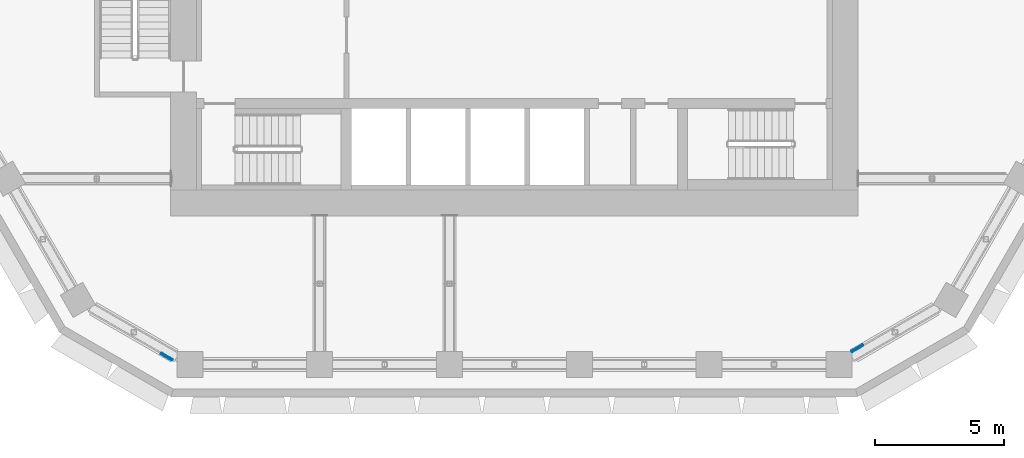
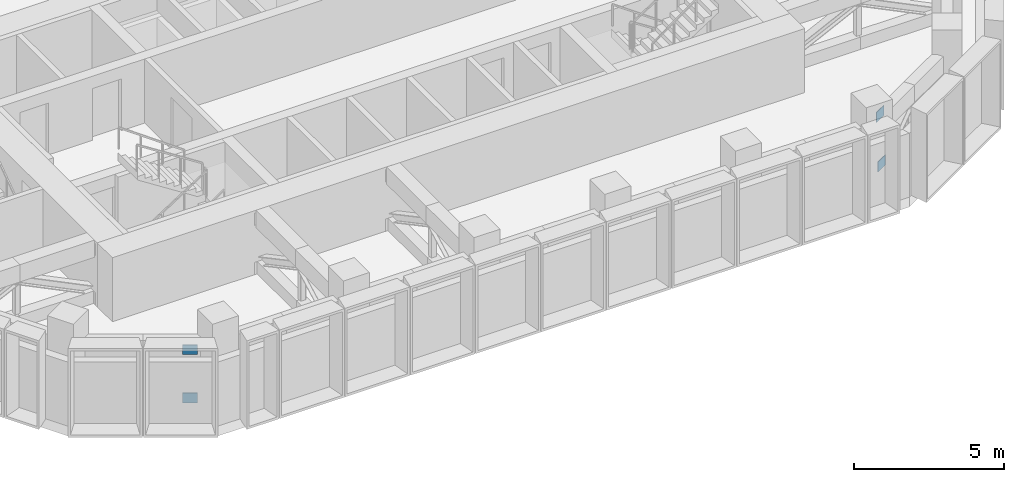
# One storey, part 15 of 23: 4 discrete accessories.
"""IFC4 building model written with IfcOpenShell, lengths in metres."""

from ifc_helpers import new_model, si_unit, direction, frame, origin, origin_2d, place, context, subcontext, project, spatial, rectangle, extrude, material, type_object, element, save


model = new_model("IFC4")

# Units and contexts
model_context = context("Model", 3, precision=1e-05, world=origin(), true_north=direction((0.0, 1.0)))
body_context = subcontext(model_context, "Body", "Model", "MODEL_VIEW")
ifc_project = project(units=[si_unit("LENGTHUNIT", "METRE"), si_unit("AREAUNIT", "SQUARE_METRE"), si_unit("VOLUMEUNIT", "CUBIC_METRE"), si_unit("PLANEANGLEUNIT", "RADIAN"), si_unit("MASSUNIT", "GRAM", prefix="KILO")], contexts=[model_context])

# Site, building, storey
site_placement = place(None, origin())
site = spatial("IfcSite", under=ifc_project, at=site_placement, CompositionType="ELEMENT")
building_placement = place(site_placement, origin())
building = spatial("IfcBuilding", under=site, at=building_placement, Name="Beryl Residences", CompositionType="ELEMENT")
storey_placement = place(building_placement, frame((0.0, 0.0, 108.0)))
storey = spatial("IfcBuildingStorey", under=building, at=storey_placement, Name="L33", CompositionType="ELEMENT", Elevation=108.0)

# Discrete accessories
ifc_material = material(Name="Steel S355", Category="steel")
discrete_accessory_type = type_object("IfcDiscreteAccessoryType", Name="GP1 chord end gusset plate 500 x 400 x 25 mm", PredefinedType="BRACKET", material=ifc_material)
for number, where, z_axis, x_axis, name in (
    (1, (-13.466064453125, -24.470947265625, 2.050048828125), (0.0, 0.0, 1.0), (-0.866105677765, 0.499860935604, 0.0), "GP1 gusset plate L33 Tb SW-4"),
    (2, (-13.44091796875, -24.427001953125, 0.050048828125), (0.0, 0.0, 1.0), (-0.866105677765, 0.499860935604, 0.0), "GP1 gusset plate L33 Bb SW-4"),
    (3, (13.2548828125, -24.10205078125, 2.050048828125), (0.0, 0.0, 1.0), (0.866055945431, 0.499947096586, 0.0), "GP1 gusset plate L33 Ta S-5"),
    (4, (13.280029296875, -24.14599609375, 0.050048828125), (0.0, 0.0, 1.0), (0.866055945431, 0.499947096586, 0.0), "GP1 gusset plate L33 Ba S-5"),
):
    element("IfcDiscreteAccessory", number, at=place(storey_placement, frame(where, z_axis=z_axis, x_axis=x_axis)), inside=storey, type_object=discrete_accessory_type, Name=name, PredefinedType="BRACKET", context=body_context, shape_type="SweptSolid", body=[
        extrude(rectangle(XDim=0.5, YDim=0.02490234375, at=origin_2d()), origin(), (0.0, 0.0, 1.0), 0.39990234375),
    ])

save(model, "model.ifc")
